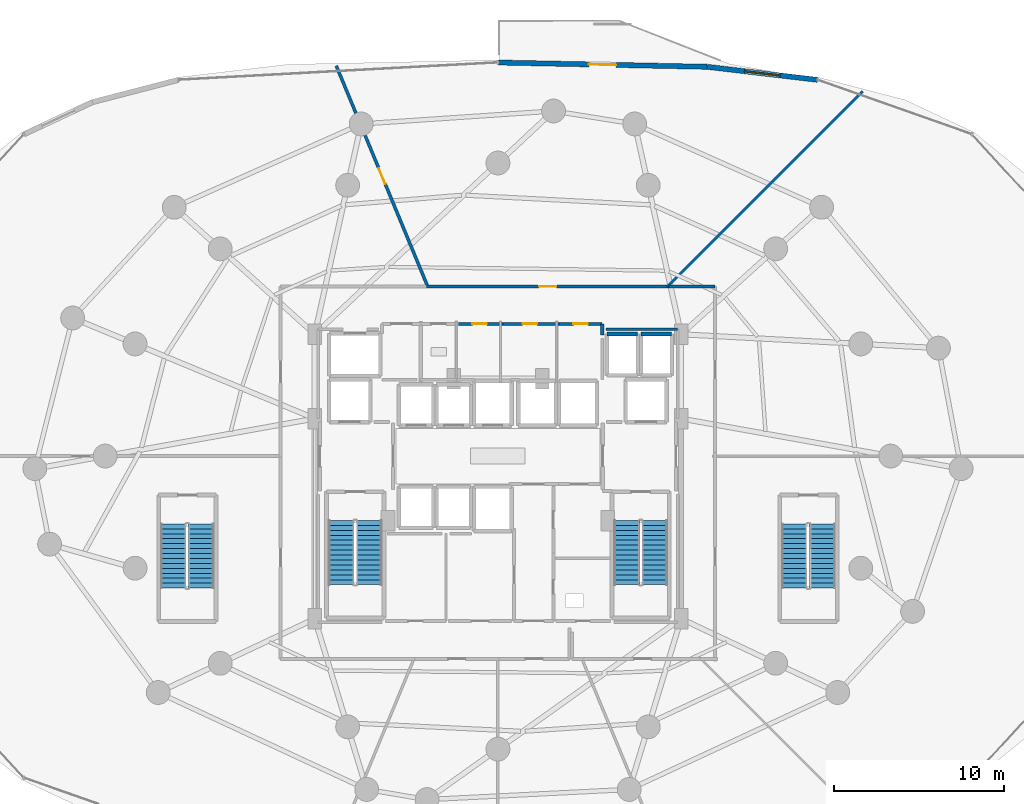
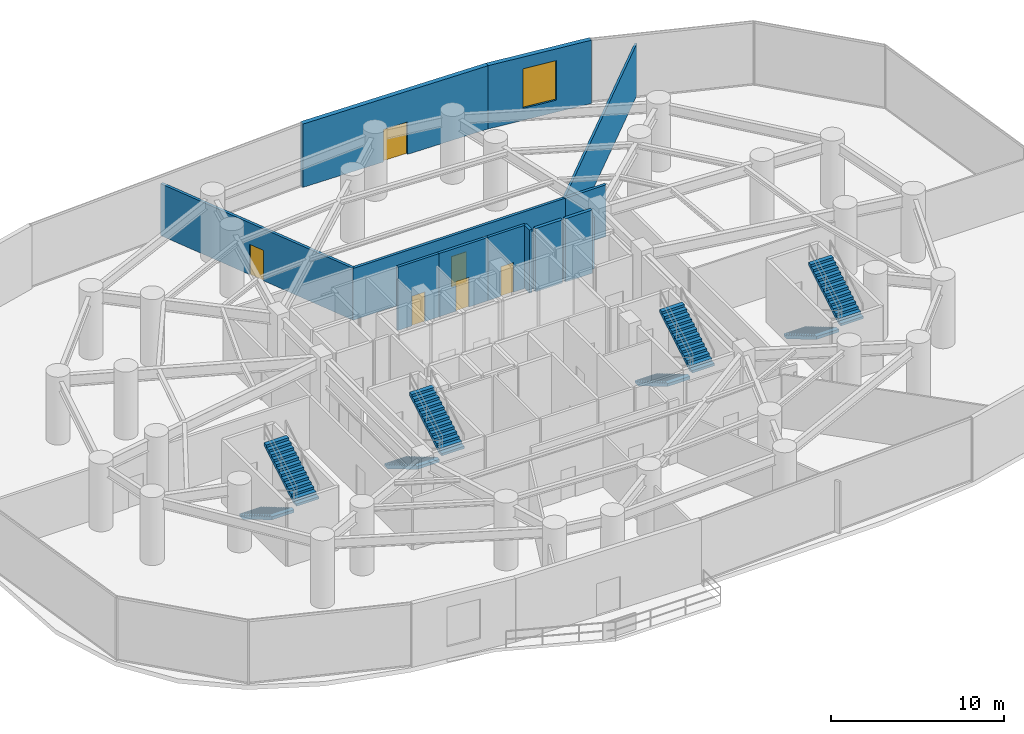
# One storey, part 27 of 30: 13 walls, 8 stair flights, 6 doors, 1 window, 7 openings, 4 elements without a shape of their own.
"""IFC4 building model written with IfcOpenShell, lengths in metres."""

from ifc_helpers import new_model, si_unit, direction, frame, frame_2d, origin, place, context, subcontext, project, spatial, polyline, rectangle, outline, extrude, material, layer, layer_set, type_object, element, fill, aggregate, save


model = new_model("IFC4")

# Units and contexts
model_context = context("Model", 3, precision=1e-05, world=origin(), true_north=direction((0.0, 1.0)))
body_context = subcontext(model_context, "Body", "Model", "MODEL_VIEW")
ifc_project = project(units=[si_unit("LENGTHUNIT", "METRE"), si_unit("AREAUNIT", "SQUARE_METRE"), si_unit("VOLUMEUNIT", "CUBIC_METRE"), si_unit("PLANEANGLEUNIT", "RADIAN"), si_unit("MASSUNIT", "GRAM", prefix="KILO")], contexts=[model_context])

# Site, building, storey
site_placement = place(None, origin())
site = spatial("IfcSite", under=ifc_project, at=site_placement, CompositionType="ELEMENT")
building_placement = place(site_placement, origin())
building = spatial("IfcBuilding", under=site, at=building_placement, Name="Vorneva Point Tower", CompositionType="ELEMENT")
storey_placement = place(building_placement, frame((0.0, 0.0, 9.60009765625)))
storey = spatial("IfcBuildingStorey", under=building, at=storey_placement, Name="L02", CompositionType="ELEMENT", Elevation=9.60009765625)

# Wall, opening, window
ifc_material_1 = material(Name="Precast concrete B50 (C40/50)", Category="concrete")
ifc_layer_1 = layer(ifc_material_1, 0.300048828125)
ifc_layer_set_1 = layer_set([ifc_layer_1], Name="Precast concrete B50 (C40/50)")
wall_type_1 = type_object("IfcWallType", Name="WL-EXT-300", PredefinedType="STANDARD", material=ifc_layer_set_1)
wall_1_placement = place(storey_placement, frame((56.75390625, 48.0810546875, 0.0), z_axis=(0.0, 0.0, 1.0), x_axis=(-0.99311278541, 0.117162261226, 0.0)))
wall_1 = element("IfcWall", 1, at=wall_1_placement, inside=storey, type_object=wall_type_1, Name="L02 Pale-Metal Facade Spandrel Wall 04.1", PredefinedType="STANDARD", context=body_context, shape_type="SweptSolid", body=[
    extrude(rectangle(XDim=6.530517578125, YDim=0.300048828125, at=frame_2d((3.26513671875, 0.0))), origin(), (0.0, 0.0, 1.0), 4.47998046875),
])
opening_1_placement = place(wall_1_placement, frame((2.21533203125, 0.0, 0.85009765625)))
opening_1 = element("IfcOpeningElement", 2, at=opening_1_placement, cuts=wall_1, Name="Opening W-05", PredefinedType="OPENING", context=body_context, shape_type="SweptSolid", body=[
    extrude(rectangle(XDim=2.10009765625, YDim=2.800048828125, at=frame_2d((1.050048828125, 1.39990234375))), frame((0.0, 0.1650390625, 0.0), z_axis=(0.0, -1.0, 0.0), x_axis=(1.0, 0.0, 0.0)), (0.0, 0.0, 1.0), 0.329833984375),
])
ifc_material_2 = material(Name="Double low-e laminated glass IGU", Category="glass")
window_type = type_object("IfcWindowType", Name="WN-POD-2100", PartitioningType="SINGLE_PANEL", PredefinedType="WINDOW", material=ifc_material_2)
window_placement = place(opening_1_placement, origin())
window = element("IfcWindow", 3, at=window_placement, inside=storey, type_object=window_type, Name="L02 Facade Window 04", OverallHeight=2.800048828125, OverallWidth=2.10009765625, PartitioningType="SINGLE_PANEL", PredefinedType="WINDOW", context=body_context, shape_type="SweptSolid", body=[
    extrude(rectangle(XDim=2.10009765625, YDim=2.800048828125, at=frame_2d((1.050048828125, 1.39990234375))), frame((0.0, 0.030029296875, 0.0), z_axis=(0.0, -1.0, 0.0), x_axis=(1.0, 0.0, 0.0)), (0.0, 0.0, 1.0), 0.06005859375),
])
fill(opening_1, window)

# Wall, opening, door
wall_2_placement = place(storey_placement, frame((50.268310546875, 48.84619140625, 0.0), z_axis=(0.0, 0.0, 1.0), x_axis=(-0.99978877583, 0.020552462746, 0.0)))
wall_2 = element("IfcWall", 4, at=wall_2_placement, inside=storey, type_object=wall_type_1, Name="L02 Pale-Metal Facade Spandrel Wall 04.2", PredefinedType="STANDARD", context=body_context, shape_type="SweptSolid", body=[
    extrude(rectangle(XDim=12.27099609375, YDim=0.300048828125, at=frame_2d((6.135498046875, 0.0))), origin(), (0.0, 0.0, 1.0), 4.47998046875),
])
opening_2_placement = place(wall_2_placement, frame((5.33544921875, 0.0, 0.0)))
opening_2 = element("IfcOpeningElement", 5, at=opening_2_placement, cuts=wall_2, Name="Opening BD-01", PredefinedType="OPENING", context=body_context, shape_type="SweptSolid", body=[
    extrude(rectangle(XDim=1.60009765625, YDim=2.300048828125, at=frame_2d((0.800048828125, 1.14990234375))), frame((0.0, 0.1650390625, 0.0), z_axis=(0.0, -1.0, 0.0), x_axis=(1.0, 0.0, 0.0)), (0.0, 0.0, 1.0), 0.329833984375),
])
ifc_material_3 = material(Name="Pale anodised aluminium", Category="aluminium")
door_type_1 = type_object("IfcDoorType", Name="DR-BAL-1600", OperationType="SLIDING_TO_LEFT", PredefinedType="DOOR", material=ifc_material_3)
door_1_placement = place(opening_2_placement, origin())
door_1 = element("IfcDoor", 6, at=door_1_placement, inside=storey, type_object=door_type_1, Name="L02 Balcony Terrace Access Door 04", OperationType="SLIDING_TO_LEFT", OverallHeight=2.300048828125, OverallWidth=1.60009765625, PredefinedType="DOOR", context=body_context, shape_type="SweptSolid", body=[
    extrude(rectangle(XDim=1.60009765625, YDim=2.300048828125, at=frame_2d((0.800048828125, 1.14990234375))), frame((0.0, 0.02490234375, 0.0), z_axis=(0.0, -1.0, 0.0), x_axis=(1.0, 0.0, 0.0)), (0.0, 0.0, 1.0), 0.050048828125),
])
fill(opening_2, door_1)

# Walls
ifc_material_4 = material(Name="Fire-rated acoustic gypsum stud partition", Category="gypsum")
ifc_layer_2 = layer(ifc_material_4, 0.139892578125)
ifc_layer_set_2 = layer_set([ifc_layer_2], Name="Fire-rated acoustic gypsum stud partition")
wall_type_2 = type_object("IfcWallType", Name="WL-PART-140", PredefinedType="PARTITIONING", material=ifc_layer_set_2)
wall_3_placement = place(storey_placement, frame((47.949951171875, 35.949951171875, 0.0), z_axis=(0.0, 0.0, 1.0), x_axis=(0.707106781187, 0.707106781187, 0.0)))
element("IfcWall", 7, at=wall_3_placement, inside=storey, type_object=wall_type_2, Name="L02 Interior Partition 044", PredefinedType="PARTITIONING", context=body_context, shape_type="SweptSolid", body=[
    extrude(rectangle(XDim=16.194091796875, YDim=0.139892578125, at=frame_2d((8.09716796875, 0.0))), origin(), (0.0, 0.0, 1.0), 3.671875),
])
wall_4_placement = place(storey_placement, frame((44.340087890625, 33.449951171875, 0.0), z_axis=(0.0, 0.0, 1.0), x_axis=(1.0, 0.0, 0.0)))
element("IfcWall", 8, at=wall_4_placement, inside=storey, type_object=wall_type_2, Name="L02 Interior Closure Partition 060", PredefinedType="PARTITIONING", context=body_context, shape_type="SweptSolid", body=[
    extrude(rectangle(XDim=4.2099609375, YDim=0.139892578125, at=frame_2d((2.10498046875, 0.0))), origin(), (0.0, 0.0, 1.0), 3.671875),
])

# Wall, opening, door
ifc_material_5 = material(Name="Autoclaved aerated concrete blockwork", Category="masonry")
ifc_layer_3 = layer(ifc_material_5, 0.179931640625)
ifc_layer_set_3 = layer_set([ifc_layer_3], Name="Autoclaved aerated concrete blockwork")
wall_type_3 = type_object("IfcWallType", Name="WL-PART-180", PredefinedType="PARTITIONING", material=ifc_layer_set_3)
wall_5_placement = place(storey_placement, frame((38.2900390625, 33.760009765625, 0.0), z_axis=(0.0, 0.0, 1.0), x_axis=(-1.0, 0.0, 0.0)))
wall_5 = element("IfcWall", 9, at=wall_5_placement, inside=storey, type_object=wall_type_3, Name="L02 Interior Partition 020", PredefinedType="PARTITIONING", context=body_context, shape_type="SweptSolid", body=[
    extrude(rectangle(XDim=2.739990234375, YDim=0.179931640625, at=frame_2d((1.3701171875, 0.0))), origin(), (0.0, 0.0, 1.0), 4.47998046875),
])
opening_3_placement = place(wall_5_placement, frame((0.945068359375, 0.0, 0.0)))
opening_3 = element("IfcOpeningElement", 10, at=opening_3_placement, cuts=wall_5, Name="Opening ID-02", PredefinedType="OPENING", context=body_context, shape_type="SweptSolid", body=[
    extrude(rectangle(XDim=0.85009765625, YDim=2.10009765625, at=frame_2d((0.425048828125, 1.050048828125))), frame((0.0, 0.10498046875, 0.0), z_axis=(0.0, -1.0, 0.0), x_axis=(1.0, 0.0, 0.0)), (0.0, 0.0, 1.0), 0.209716796875),
])
ifc_material_6 = material(Name="Engineered oak fire-rated door leaf", Category="wood")
door_type_2 = type_object("IfcDoorType", Name="DR-BATH-850", OperationType="NOTDEFINED", PredefinedType="DOOR", material=ifc_material_6)
door_2_placement = place(opening_3_placement, origin())
door_2 = element("IfcDoor", 11, at=door_2_placement, inside=storey, type_object=door_type_2, Name="L02 Door Public Male WC / L02 Circulation Corridor", OperationType="SINGLE_SWING_RIGHT", OverallHeight=2.10009765625, OverallWidth=0.85009765625, PredefinedType="DOOR", context=body_context, shape_type="SweptSolid", body=[
    extrude(rectangle(XDim=0.85009765625, YDim=2.10009765625, at=frame_2d((0.425048828125, 1.050048828125))), frame((0.0, 0.02490234375, 0.0), z_axis=(0.0, -1.0, 0.0), x_axis=(1.0, 0.0, 0.0)), (0.0, 0.0, 1.0), 0.050048828125),
])
fill(opening_3, door_2)

wall_6_placement = place(storey_placement, frame((41.590087890625, 33.760009765625, 0.0), z_axis=(0.0, 0.0, 1.0), x_axis=(-1.0, 0.0, 0.0)))
wall_6 = element("IfcWall", 12, at=wall_6_placement, inside=storey, type_object=wall_type_3, Name="L02 Interior Partition 022", PredefinedType="PARTITIONING", context=body_context, shape_type="SweptSolid", body=[
    extrude(rectangle(XDim=3.440185546875, YDim=0.179931640625, at=frame_2d((1.72021484375, 0.0))), origin(), (0.0, 0.0, 1.0), 4.47998046875),
])
opening_4_placement = place(wall_6_placement, frame((1.294921875, 0.0, 0.0)))
opening_4 = element("IfcOpeningElement", 13, at=opening_4_placement, cuts=wall_6, Name="Opening ID-02", PredefinedType="OPENING", context=body_context, shape_type="SweptSolid", body=[
    extrude(rectangle(XDim=0.85009765625, YDim=2.10009765625, at=frame_2d((0.425048828125, 1.050048828125))), frame((0.0, 0.10498046875, 0.0), z_axis=(0.0, -1.0, 0.0), x_axis=(1.0, 0.0, 0.0)), (0.0, 0.0, 1.0), 0.209716796875),
])
door_3_placement = place(opening_4_placement, origin())
door_3 = element("IfcDoor", 14, at=door_3_placement, inside=storey, type_object=door_type_2, Name="L02 Door Public Female WC / L02 Circulation Corridor", OperationType="SINGLE_SWING_LEFT", OverallHeight=2.10009765625, OverallWidth=0.85009765625, PredefinedType="DOOR", context=body_context, shape_type="SweptSolid", body=[
    extrude(rectangle(XDim=0.85009765625, YDim=2.10009765625, at=frame_2d((0.425048828125, 1.050048828125))), frame((0.0, 0.02490234375, 0.0), z_axis=(0.0, -1.0, 0.0), x_axis=(1.0, 0.0, 0.0)), (0.0, 0.0, 1.0), 0.050048828125),
])
fill(opening_4, door_3)

wall_7_placement = place(storey_placement, frame((44.1201171875, 33.760009765625, 0.0), z_axis=(0.0, 0.0, 1.0), x_axis=(-1.0, 0.0, 0.0)))
wall_7 = element("IfcWall", 15, at=wall_7_placement, inside=storey, type_object=wall_type_3, Name="L02 Interior Partition 023", PredefinedType="PARTITIONING", context=body_context, shape_type="SweptSolid", body=[
    extrude(rectangle(XDim=2.530029296875, YDim=0.179931640625, at=frame_2d((1.26513671875, 0.0))), origin(), (0.0, 0.0, 1.0), 4.47998046875),
])
opening_5_placement = place(wall_7_placement, frame((0.840087890625, 0.0, 0.0)))
opening_5 = element("IfcOpeningElement", 16, at=opening_5_placement, cuts=wall_7, Name="Opening ID-02", PredefinedType="OPENING", context=body_context, shape_type="SweptSolid", body=[
    extrude(rectangle(XDim=0.85009765625, YDim=2.10009765625, at=frame_2d((0.425048828125, 1.050048828125))), frame((0.0, 0.10498046875, 0.0), z_axis=(0.0, -1.0, 0.0), x_axis=(1.0, 0.0, 0.0)), (0.0, 0.0, 1.0), 0.209716796875),
])
door_4_placement = place(opening_5_placement, origin())
door_4 = element("IfcDoor", 17, at=door_4_placement, inside=storey, type_object=door_type_2, Name="L02 Door Cleaners Store / L02 Circulation Corridor", OperationType="SINGLE_SWING_RIGHT", OverallHeight=2.10009765625, OverallWidth=0.85009765625, PredefinedType="DOOR", context=body_context, shape_type="SweptSolid", body=[
    extrude(rectangle(XDim=0.85009765625, YDim=2.10009765625, at=frame_2d((0.425048828125, 1.050048828125))), frame((0.0, 0.02490234375, 0.0), z_axis=(0.0, -1.0, 0.0), x_axis=(1.0, 0.0, 0.0)), (0.0, 0.0, 1.0), 0.050048828125),
])
fill(opening_5, door_4)

# Wall
wall_8_placement = place(storey_placement, frame((44.1201171875, 33.110107421875, 0.0), z_axis=(0.0, 0.0, 1.0), x_axis=(0.0, 1.0, 0.0)))
element("IfcWall", 18, at=wall_8_placement, inside=storey, type_object=wall_type_3, Name="L02 Interior Partition 024", PredefinedType="PARTITIONING", context=body_context, shape_type="SweptSolid", body=[
    extrude(rectangle(XDim=0.64990234375, YDim=0.179931640625, at=frame_2d((0.324951171875, 0.0))), origin(), (0.0, 0.0, 1.0), 4.47998046875),
])

# Wall, opening, door
wall_9_placement = place(storey_placement, frame((48.034912109375, 35.949951171875, 0.0), z_axis=(0.0, 0.0, 1.0), x_axis=(-1.0, 0.0, 0.0)))
wall_9 = element("IfcWall", 19, at=wall_9_placement, inside=storey, type_object=wall_type_3, Name="L02 Interior Partition 028", PredefinedType="PARTITIONING", context=body_context, shape_type="SweptSolid", body=[
    extrude(rectangle(XDim=14.220947265625, YDim=0.179931640625, at=frame_2d((7.1103515625, 0.0))), origin(), (0.0, 0.0, 1.0), 3.671875),
])
opening_6_placement = place(wall_9_placement, frame((6.610595703125, 0.0, 0.0)))
opening_6 = element("IfcOpeningElement", 20, at=opening_6_placement, cuts=wall_9, Name="Opening UD-01", PredefinedType="OPENING", context=body_context, shape_type="SweptSolid", body=[
    extrude(rectangle(XDim=1.0, YDim=2.14990234375, at=frame_2d((0.5, 1.074951171875))), frame((0.0, 0.10498046875, 0.0), z_axis=(0.0, -1.0, 0.0), x_axis=(1.0, 0.0, 0.0)), (0.0, 0.0, 1.0), 0.209716796875),
])
door_type_3 = type_object("IfcDoorType", Name="DR-UNIT-1000", OperationType="NOTDEFINED", PredefinedType="DOOR", material=ifc_material_6)
door_5_placement = place(opening_6_placement, origin())
door_5 = element("IfcDoor", 21, at=door_5_placement, inside=storey, type_object=door_type_3, Name="L02 Door L02 Circulation Corridor / Retail Shop L02-A", OperationType="SINGLE_SWING_LEFT", OverallHeight=2.14990234375, OverallWidth=1.0, PredefinedType="DOOR", context=body_context, shape_type="SweptSolid", body=[
    extrude(rectangle(XDim=1.0, YDim=2.14990234375, at=frame_2d((0.5, 1.074951171875))), frame((0.0, 0.02490234375, 0.0), z_axis=(0.0, -1.0, 0.0), x_axis=(1.0, 0.0, 0.0)), (0.0, 0.0, 1.0), 0.050048828125),
])
fill(opening_6, door_5)

# Wall
wall_10_placement = place(storey_placement, frame((50.75, 35.949951171875, 0.0), z_axis=(0.0, 0.0, 1.0), x_axis=(-1.0, 0.0, 0.0)))
element("IfcWall", 22, at=wall_10_placement, inside=storey, type_object=wall_type_3, Name="L02 Interior Partition 042", PredefinedType="PARTITIONING", context=body_context, shape_type="SweptSolid", body=[
    extrude(rectangle(XDim=2.715087890625, YDim=0.179931640625, at=frame_2d((1.357421875, 0.0))), origin(), (0.0, 0.0, 1.0), 3.671875),
])

# Wall, opening, door
wall_11_placement = place(storey_placement, frame((28.513916015625, 48.90087890625, 0.0), z_axis=(0.0, 0.0, 1.0), x_axis=(0.38271633175, -0.923865904453, 0.0)))
wall_11 = element("IfcWall", 23, at=wall_11_placement, inside=storey, type_object=wall_type_3, Name="L02 Interior Partition 043", PredefinedType="PARTITIONING", context=body_context, shape_type="SweptSolid", body=[
    extrude(rectangle(XDim=14.018310546875, YDim=0.179931640625, at=frame_2d((7.00927734375, 0.0))), origin(), (0.0, 0.0, 1.0), 3.671875),
])
opening_7_placement = place(wall_11_placement, frame((6.509033203125, 0.0, 0.0)))
opening_7 = element("IfcOpeningElement", 24, at=opening_7_placement, cuts=wall_11, Name="Opening UD-01", PredefinedType="OPENING", context=body_context, shape_type="SweptSolid", body=[
    extrude(rectangle(XDim=1.0, YDim=2.14990234375, at=frame_2d((0.5, 1.074951171875))), frame((0.0, 0.10498046875, 0.0), z_axis=(0.0, -1.0, 0.0), x_axis=(1.0, 0.0, 0.0)), (0.0, 0.0, 1.0), 0.209716796875),
])
door_6_placement = place(opening_7_placement, origin())
door_6 = element("IfcDoor", 25, at=door_6_placement, inside=storey, type_object=door_type_3, Name="L02 Door Retail Shop L02-A / Waterfront Concourse Gallery L02", OperationType="SINGLE_SWING_LEFT", OverallHeight=2.14990234375, OverallWidth=1.0, PredefinedType="DOOR", context=body_context, shape_type="SweptSolid", body=[
    extrude(rectangle(XDim=1.0, YDim=2.14990234375, at=frame_2d((0.5, 1.074951171875))), frame((0.0, 0.02490234375, 0.0), z_axis=(0.0, -1.0, 0.0), x_axis=(1.0, 0.0, 0.0)), (0.0, 0.0, 1.0), 0.050048828125),
])
fill(opening_7, door_6)

# Walls
ifc_material_7 = material(Name="Concrete B50 (C40/50)", Category="concrete")
ifc_layer_4 = layer(ifc_material_7, 0.219970703125)
ifc_layer_set_4 = layer_set([ifc_layer_4], Name="Concrete B50 (C40/50)")
wall_type_4 = type_object("IfcWallType", Name="WL-SHFT-220", PredefinedType="SOLIDWALL", material=ifc_layer_set_4)
for number, where, z_axis, x_axis, name in (
    (26, (46.199951171875, 33.159912109375, 0.0), (0.0, 0.0, 1.0), (-1.0, 0.0, 0.0), "L02 Lift EX1 Shaft Wall +Y"),
    (27, (48.199951171875, 33.159912109375, 0.0), (0.0, 0.0, 1.0), (-1.0, 0.0, 0.0), "L02 Lift EX2 Shaft Wall +Y"),
):
    element("IfcWall", number, at=place(storey_placement, frame(where, z_axis=z_axis, x_axis=x_axis)), inside=storey, type_object=wall_type_4, Name=name, PredefinedType="SOLIDWALL", context=body_context, shape_type="SweptSolid", body=[
        extrude(rectangle(XDim=1.800048828125, YDim=0.219970703125, at=frame_2d((0.89990234375, 0.0))), origin(), (0.0, 0.0, 1.0), 4.47998046875),
    ])

# Stair, stair flights
stair_type = type_object("IfcStairType", Name="ST-DOG-1500", PredefinedType="HALF_TURN_STAIR", material=ifc_material_7)
stair_1_placement = place(storey_placement, origin())
stair_1 = element("IfcStair", 28, at=stair_1_placement, inside=storey, type_object=stair_type, Name="L02 ST1", PredefinedType="HALF_TURN_STAIR")
stair_flight_type = type_object("IfcStairFlightType", Name="STF-1500", PredefinedType="STRAIGHT", material=ifc_material_7)
stair_flight_1_placement = place(storey_placement, frame((28.800048828125, 22.219970703125, 0.0), z_axis=(0.0, 0.0, 1.0), x_axis=(0.0, -1.0, 0.0)))
stair_flight_1 = element("IfcStairFlight", 29, at=stair_flight_1_placement, type_object=stair_flight_type, Name="ST1 flight 1", NumberOfRisers=14, NumberOfTreads=13, PredefinedType="STRAIGHT", RiserHeight=0.171428571, TreadLength=0.29, context=body_context, shape_type="SweptSolid", body=[
    extrude(outline(polyline([(0.0, 0.0), (0.0, 0.17138671875), (0.2900390625, 0.17138671875), (0.2900390625, 0.3427734375), (0.580078125, 0.3427734375), (0.580078125, 0.514404296875), (0.8701171875, 0.514404296875), (0.8701171875, 0.685791015625), (1.159912109375, 0.685791015625), (1.159912109375, 0.857177734375), (1.449951171875, 0.857177734375), (1.449951171875, 1.028564453125), (1.739990234375, 1.028564453125), (1.739990234375, 1.199951171875), (2.030029296875, 1.199951171875), (2.030029296875, 1.371337890625), (2.320068359375, 1.371337890625), (2.320068359375, 1.54296875), (2.610107421875, 1.54296875), (2.610107421875, 1.71435546875), (2.89990234375, 1.71435546875), (2.89990234375, 1.8857421875), (3.18994140625, 1.8857421875), (3.18994140625, 2.05712890625), (3.47998046875, 2.05712890625), (3.47998046875, 2.228515625), (3.77001953125, 2.228515625), (3.77001953125, 2.39990234375), (3.77001953125, 2.01953125), (0.353515625, 0.0), (0.0, 0.0)])), frame((0.0, 0.75, 0.0), z_axis=(0.0, -1.0, 0.0), x_axis=(1.0, 0.0, 0.0)), (0.0, 0.0, 1.0), 1.5),
])
stair_flight_2_placement = place(storey_placement, frame((30.449951171875, 18.449951171875, 2.39990234375), z_axis=(0.0, 0.0, 1.0), x_axis=(0.0, 1.0, 0.0)))
stair_flight_2 = element("IfcStairFlight", 30, at=stair_flight_2_placement, type_object=stair_flight_type, Name="ST1 flight 2", NumberOfRisers=14, NumberOfTreads=13, PredefinedType="STRAIGHT", RiserHeight=0.171428571, TreadLength=0.29, context=body_context, shape_type="SweptSolid", body=[
    extrude(outline(polyline([(0.0, 0.0), (0.0, 0.17138671875), (0.2900390625, 0.17138671875), (0.2900390625, 0.3427734375), (0.580078125, 0.3427734375), (0.580078125, 0.514404296875), (0.8701171875, 0.514404296875), (0.8701171875, 0.685791015625), (1.159912109375, 0.685791015625), (1.159912109375, 0.857177734375), (1.449951171875, 0.857177734375), (1.449951171875, 1.028564453125), (1.739990234375, 1.028564453125), (1.739990234375, 1.199951171875), (2.030029296875, 1.199951171875), (2.030029296875, 1.371337890625), (2.320068359375, 1.371337890625), (2.320068359375, 1.54296875), (2.610107421875, 1.54296875), (2.610107421875, 1.71435546875), (2.89990234375, 1.71435546875), (2.89990234375, 1.8857421875), (3.18994140625, 1.8857421875), (3.18994140625, 2.05712890625), (3.47998046875, 2.05712890625), (3.47998046875, 2.228515625), (3.77001953125, 2.228515625), (3.77001953125, 2.39990234375), (3.77001953125, 2.01953125), (0.353515625, 0.0), (0.0, 0.0)])), frame((0.0, 0.75, 0.0), z_axis=(0.0, -1.0, 0.0), x_axis=(1.0, 0.0, 0.0)), (0.0, 0.0, 1.0), 1.5),
])
aggregate(stair_1, [stair_flight_1, stair_flight_2])

stair_2_placement = place(storey_placement, origin())
stair_2 = element("IfcStair", 31, at=stair_2_placement, inside=storey, type_object=stair_type, Name="L02 ST2", PredefinedType="HALF_TURN_STAIR")
stair_flight_3_placement = place(storey_placement, frame((45.550048828125, 22.219970703125, 0.0), z_axis=(0.0, 0.0, 1.0), x_axis=(0.0, -1.0, 0.0)))
stair_flight_3 = element("IfcStairFlight", 32, at=stair_flight_3_placement, type_object=stair_flight_type, Name="ST2 flight 1", NumberOfRisers=14, NumberOfTreads=13, PredefinedType="STRAIGHT", RiserHeight=0.171428571, TreadLength=0.29, context=body_context, shape_type="SweptSolid", body=[
    extrude(outline(polyline([(0.0, 0.0), (0.0, 0.17138671875), (0.2900390625, 0.17138671875), (0.2900390625, 0.3427734375), (0.580078125, 0.3427734375), (0.580078125, 0.514404296875), (0.8701171875, 0.514404296875), (0.8701171875, 0.685791015625), (1.159912109375, 0.685791015625), (1.159912109375, 0.857177734375), (1.449951171875, 0.857177734375), (1.449951171875, 1.028564453125), (1.739990234375, 1.028564453125), (1.739990234375, 1.199951171875), (2.030029296875, 1.199951171875), (2.030029296875, 1.371337890625), (2.320068359375, 1.371337890625), (2.320068359375, 1.54296875), (2.610107421875, 1.54296875), (2.610107421875, 1.71435546875), (2.89990234375, 1.71435546875), (2.89990234375, 1.8857421875), (3.18994140625, 1.8857421875), (3.18994140625, 2.05712890625), (3.47998046875, 2.05712890625), (3.47998046875, 2.228515625), (3.77001953125, 2.228515625), (3.77001953125, 2.39990234375), (3.77001953125, 2.01953125), (0.353515625, 0.0), (0.0, 0.0)])), frame((0.0, 0.75, 0.0), z_axis=(0.0, -1.0, 0.0), x_axis=(1.0, 0.0, 0.0)), (0.0, 0.0, 1.0), 1.5),
])
stair_flight_4_placement = place(storey_placement, frame((47.199951171875, 18.449951171875, 2.39990234375), z_axis=(0.0, 0.0, 1.0), x_axis=(0.0, 1.0, 0.0)))
stair_flight_4 = element("IfcStairFlight", 33, at=stair_flight_4_placement, type_object=stair_flight_type, Name="ST2 flight 2", NumberOfRisers=14, NumberOfTreads=13, PredefinedType="STRAIGHT", RiserHeight=0.171428571, TreadLength=0.29, context=body_context, shape_type="SweptSolid", body=[
    extrude(outline(polyline([(0.0, 0.0), (0.0, 0.17138671875), (0.2900390625, 0.17138671875), (0.2900390625, 0.3427734375), (0.580078125, 0.3427734375), (0.580078125, 0.514404296875), (0.8701171875, 0.514404296875), (0.8701171875, 0.685791015625), (1.159912109375, 0.685791015625), (1.159912109375, 0.857177734375), (1.449951171875, 0.857177734375), (1.449951171875, 1.028564453125), (1.739990234375, 1.028564453125), (1.739990234375, 1.199951171875), (2.030029296875, 1.199951171875), (2.030029296875, 1.371337890625), (2.320068359375, 1.371337890625), (2.320068359375, 1.54296875), (2.610107421875, 1.54296875), (2.610107421875, 1.71435546875), (2.89990234375, 1.71435546875), (2.89990234375, 1.8857421875), (3.18994140625, 1.8857421875), (3.18994140625, 2.05712890625), (3.47998046875, 2.05712890625), (3.47998046875, 2.228515625), (3.77001953125, 2.228515625), (3.77001953125, 2.39990234375), (3.77001953125, 2.01953125), (0.353515625, 0.0), (0.0, 0.0)])), frame((0.0, 0.75, 0.0), z_axis=(0.0, -1.0, 0.0), x_axis=(1.0, 0.0, 0.0)), (0.0, 0.0, 1.0), 1.5),
])
aggregate(stair_2, [stair_flight_3, stair_flight_4])

stair_3_placement = place(storey_placement, origin())
stair_3 = element("IfcStair", 34, at=stair_3_placement, inside=storey, type_object=stair_type, Name="L02 ST3", PredefinedType="HALF_TURN_STAIR")
stair_flight_5_placement = place(storey_placement, frame((18.949951171875, 22.02001953125, 0.0), z_axis=(0.0, 0.0, 1.0), x_axis=(0.0, -1.0, 0.0)))
stair_flight_5 = element("IfcStairFlight", 35, at=stair_flight_5_placement, type_object=stair_flight_type, Name="ST3 flight 1", NumberOfRisers=14, NumberOfTreads=13, PredefinedType="STRAIGHT", RiserHeight=0.171428571, TreadLength=0.29, context=body_context, shape_type="SweptSolid", body=[
    extrude(outline(polyline([(0.0, 0.0), (0.0, 0.17138671875), (0.2900390625, 0.17138671875), (0.2900390625, 0.3427734375), (0.580078125, 0.3427734375), (0.580078125, 0.514404296875), (0.8701171875, 0.514404296875), (0.8701171875, 0.685791015625), (1.159912109375, 0.685791015625), (1.159912109375, 0.857177734375), (1.449951171875, 0.857177734375), (1.449951171875, 1.028564453125), (1.739990234375, 1.028564453125), (1.739990234375, 1.199951171875), (2.030029296875, 1.199951171875), (2.030029296875, 1.371337890625), (2.320068359375, 1.371337890625), (2.320068359375, 1.54296875), (2.610107421875, 1.54296875), (2.610107421875, 1.71435546875), (2.89990234375, 1.71435546875), (2.89990234375, 1.8857421875), (3.18994140625, 1.8857421875), (3.18994140625, 2.05712890625), (3.47998046875, 2.05712890625), (3.47998046875, 2.228515625), (3.77001953125, 2.228515625), (3.77001953125, 2.39990234375), (3.77001953125, 2.01953125), (0.353515625, 0.0), (0.0, 0.0)])), frame((0.0, 0.75, 0.0), z_axis=(0.0, -1.0, 0.0), x_axis=(1.0, 0.0, 0.0)), (0.0, 0.0, 1.0), 1.5),
])
stair_flight_6_placement = place(storey_placement, frame((20.60009765625, 18.25, 2.39990234375), z_axis=(0.0, 0.0, 1.0), x_axis=(0.0, 1.0, 0.0)))
stair_flight_6 = element("IfcStairFlight", 36, at=stair_flight_6_placement, type_object=stair_flight_type, Name="ST3 flight 2", NumberOfRisers=14, NumberOfTreads=13, PredefinedType="STRAIGHT", RiserHeight=0.171428571, TreadLength=0.29, context=body_context, shape_type="SweptSolid", body=[
    extrude(outline(polyline([(0.0, 0.0), (0.0, 0.17138671875), (0.2900390625, 0.17138671875), (0.2900390625, 0.3427734375), (0.580078125, 0.3427734375), (0.580078125, 0.514404296875), (0.8701171875, 0.514404296875), (0.8701171875, 0.685791015625), (1.159912109375, 0.685791015625), (1.159912109375, 0.857177734375), (1.449951171875, 0.857177734375), (1.449951171875, 1.028564453125), (1.739990234375, 1.028564453125), (1.739990234375, 1.199951171875), (2.030029296875, 1.199951171875), (2.030029296875, 1.371337890625), (2.320068359375, 1.371337890625), (2.320068359375, 1.54296875), (2.610107421875, 1.54296875), (2.610107421875, 1.71435546875), (2.89990234375, 1.71435546875), (2.89990234375, 1.8857421875), (3.18994140625, 1.8857421875), (3.18994140625, 2.05712890625), (3.47998046875, 2.05712890625), (3.47998046875, 2.228515625), (3.77001953125, 2.228515625), (3.77001953125, 2.39990234375), (3.77001953125, 2.01953125), (0.353515625, 0.0), (0.0, 0.0)])), frame((0.0, 0.75, 0.0), z_axis=(0.0, -1.0, 0.0), x_axis=(1.0, 0.0, 0.0)), (0.0, 0.0, 1.0), 1.5),
])
aggregate(stair_3, [stair_flight_5, stair_flight_6])

stair_4_placement = place(storey_placement, origin())
stair_4 = element("IfcStair", 37, at=stair_4_placement, inside=storey, type_object=stair_type, Name="L02 ST4", PredefinedType="HALF_TURN_STAIR")
stair_flight_7_placement = place(storey_placement, frame((55.39990234375, 22.02001953125, 0.0), z_axis=(0.0, 0.0, 1.0), x_axis=(0.0, -1.0, 0.0)))
stair_flight_7 = element("IfcStairFlight", 38, at=stair_flight_7_placement, type_object=stair_flight_type, Name="ST4 flight 1", NumberOfRisers=14, NumberOfTreads=13, PredefinedType="STRAIGHT", RiserHeight=0.171428571, TreadLength=0.29, context=body_context, shape_type="SweptSolid", body=[
    extrude(outline(polyline([(0.0, 0.0), (0.0, 0.17138671875), (0.2900390625, 0.17138671875), (0.2900390625, 0.3427734375), (0.580078125, 0.3427734375), (0.580078125, 0.514404296875), (0.8701171875, 0.514404296875), (0.8701171875, 0.685791015625), (1.159912109375, 0.685791015625), (1.159912109375, 0.857177734375), (1.449951171875, 0.857177734375), (1.449951171875, 1.028564453125), (1.739990234375, 1.028564453125), (1.739990234375, 1.199951171875), (2.030029296875, 1.199951171875), (2.030029296875, 1.371337890625), (2.320068359375, 1.371337890625), (2.320068359375, 1.54296875), (2.610107421875, 1.54296875), (2.610107421875, 1.71435546875), (2.89990234375, 1.71435546875), (2.89990234375, 1.8857421875), (3.18994140625, 1.8857421875), (3.18994140625, 2.05712890625), (3.47998046875, 2.05712890625), (3.47998046875, 2.228515625), (3.77001953125, 2.228515625), (3.77001953125, 2.39990234375), (3.77001953125, 2.01953125), (0.353515625, 0.0), (0.0, 0.0)])), frame((0.0, 0.75, 0.0), z_axis=(0.0, -1.0, 0.0), x_axis=(1.0, 0.0, 0.0)), (0.0, 0.0, 1.0), 1.5),
])
stair_flight_8_placement = place(storey_placement, frame((57.050048828125, 18.25, 2.39990234375), z_axis=(0.0, 0.0, 1.0), x_axis=(0.0, 1.0, 0.0)))
stair_flight_8 = element("IfcStairFlight", 39, at=stair_flight_8_placement, type_object=stair_flight_type, Name="ST4 flight 2", NumberOfRisers=14, NumberOfTreads=13, PredefinedType="STRAIGHT", RiserHeight=0.171428571, TreadLength=0.29, context=body_context, shape_type="SweptSolid", body=[
    extrude(outline(polyline([(0.0, 0.0), (0.0, 0.17138671875), (0.2900390625, 0.17138671875), (0.2900390625, 0.3427734375), (0.580078125, 0.3427734375), (0.580078125, 0.514404296875), (0.8701171875, 0.514404296875), (0.8701171875, 0.685791015625), (1.159912109375, 0.685791015625), (1.159912109375, 0.857177734375), (1.449951171875, 0.857177734375), (1.449951171875, 1.028564453125), (1.739990234375, 1.028564453125), (1.739990234375, 1.199951171875), (2.030029296875, 1.199951171875), (2.030029296875, 1.371337890625), (2.320068359375, 1.371337890625), (2.320068359375, 1.54296875), (2.610107421875, 1.54296875), (2.610107421875, 1.71435546875), (2.89990234375, 1.71435546875), (2.89990234375, 1.8857421875), (3.18994140625, 1.8857421875), (3.18994140625, 2.05712890625), (3.47998046875, 2.05712890625), (3.47998046875, 2.228515625), (3.77001953125, 2.228515625), (3.77001953125, 2.39990234375), (3.77001953125, 2.01953125), (0.353515625, 0.0), (0.0, 0.0)])), frame((0.0, 0.75, 0.0), z_axis=(0.0, -1.0, 0.0), x_axis=(1.0, 0.0, 0.0)), (0.0, 0.0, 1.0), 1.5),
])
aggregate(stair_4, [stair_flight_7, stair_flight_8])

save(model, "model.ifc")
